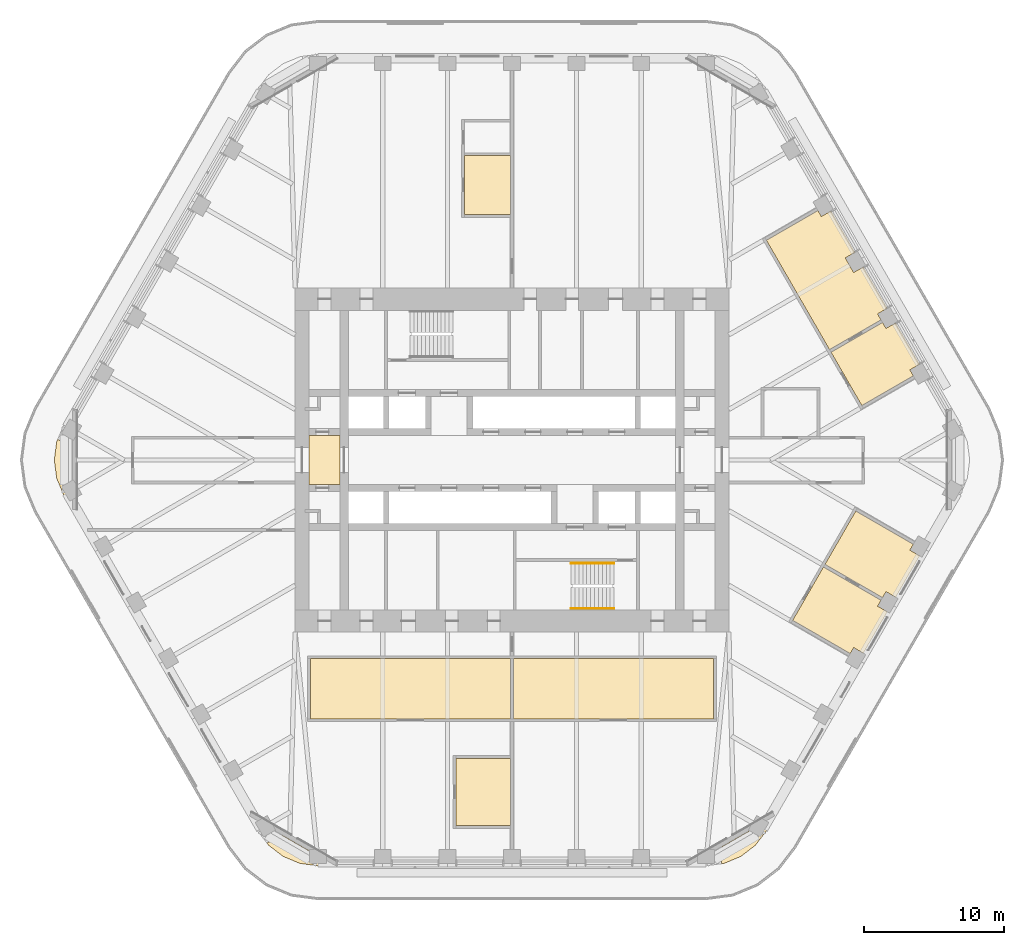
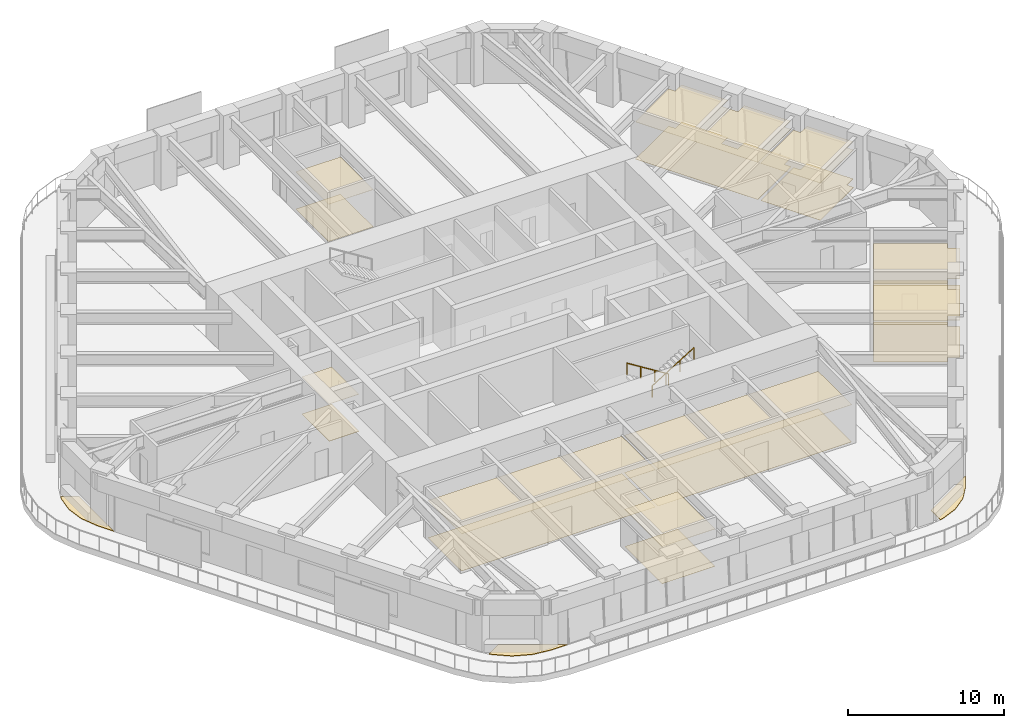
# One storey, part 18 of 20: 7 coverings, 2 railings.
"""IFC4 building model written with IfcOpenShell, lengths in metres."""

from ifc_helpers import new_model, si_unit, direction, frame, origin, origin_2d, place, context, subcontext, project, spatial, polyline, circle, outline, extrude, material, layer, layer_set, type_object, element, save


model = new_model("IFC4")

# Units and contexts
model_context = context("Model", 3, precision=1e-05, world=origin(), true_north=direction((0.0, 1.0)))
body_context = subcontext(model_context, "Body", "Model", "MODEL_VIEW")
ifc_project = project(units=[si_unit("LENGTHUNIT", "METRE"), si_unit("AREAUNIT", "SQUARE_METRE"), si_unit("VOLUMEUNIT", "CUBIC_METRE"), si_unit("PLANEANGLEUNIT", "RADIAN"), si_unit("MASSUNIT", "GRAM", prefix="KILO")], contexts=[model_context])

# Site, building, storey
site_placement = place(None, origin())
site = spatial("IfcSite", under=ifc_project, at=site_placement, CompositionType="ELEMENT")
building_placement = place(site_placement, origin())
building = spatial("IfcBuilding", under=site, at=building_placement, Name="Tarfa Lantern Tower", CompositionType="ELEMENT")
storey_placement = place(building_placement, frame((0.0, 0.0, 261.699951171875)))
storey = spatial("IfcBuildingStorey", under=building, at=storey_placement, Name="L59", CompositionType="ELEMENT", Elevation=261.699951171875)

# Coverings
ifc_material_1 = material(Name="Mineral fibre acoustic tile on suspension grid", Category="finish")
ifc_layer_1 = layer(ifc_material_1, 0.02001953125)
ifc_layer_set_1 = layer_set([ifc_layer_1], Name="CL1 ACOUSTIC TILE CEILING 20")
covering_type_1 = type_object("IfcCoveringType", Name="CL1 ACOUSTIC TILE CEILING 20", PredefinedType="CEILING", material=ifc_layer_set_1)
covering_1_placement = place(storey_placement, frame((0.0, 0.0, 2.900146484375)))
element("IfcCovering", 1, at=covering_1_placement, inside=storey, type_object=covering_type_1, Name="Ceiling L59 CL1", PredefinedType="CEILING", context=body_context, shape_type="SweptSolid", body=[
    extrude(outline(polyline([(0.10009765625, -14.199951171875), (14.39990234375, -14.199951171875), (14.39990234375, -18.5), (0.10009765625, -18.5), (0.10009765625, -14.199951171875)])), origin(), (0.0, 0.0, 1.0), 0.02001953125),
    extrude(outline(polyline([(-14.39990234375, -14.199951171875), (-0.10009765625, -14.199951171875), (-0.10009765625, -18.5), (-14.39990234375, -18.5), (-14.39990234375, -14.199951171875)])), origin(), (0.0, 0.0, 1.0), 0.02001953125),
    extrude(outline(polyline([(22.797607421875, 7.71337890625), (26.478271484375, 9.83837890625), (26.728271484375, 9.4052734375), (27.421142578125, 9.805419921875), (29.13037109375, 6.8447265625), (28.4375, 6.444580078125), (28.6875, 6.01171875), (25.007080078125, 3.88671875), (22.797607421875, 7.71337890625)])), origin(), (0.0, 0.0, 1.0), 0.02001953125),
    extrude(outline(polyline([(18.1787109375, 15.71337890625), (21.859375, 17.83837890625), (22.109375, 17.4052734375), (22.80224609375, 17.805419921875), (24.51171875, 14.8447265625), (23.81884765625, 14.444580078125), (24.418701171875, 13.4052734375), (25.111572265625, 13.805419921875), (26.821044921875, 10.8447265625), (26.128173828125, 10.444580078125), (26.378173828125, 10.01171875), (22.697509765625, 7.88671875), (18.1787109375, 15.71337890625)])), origin(), (0.0, 0.0, 1.0), 0.02001953125),
    extrude(outline(polyline([(22.2646484375, -7.63671875), (26.378173828125, -10.01171875), (26.128173828125, -10.444580078125), (26.821044921875, -10.8447265625), (25.111572265625, -13.805419921875), (24.418701171875, -13.4052734375), (24.168701171875, -13.83837890625), (20.05517578125, -11.46337890625), (22.2646484375, -7.63671875)])), origin(), (0.0, 0.0, 1.0), 0.02001953125),
    extrude(outline(polyline([(24.573974609375, -3.63671875), (28.6875, -6.01171875), (28.4375, -6.444580078125), (29.13037109375, -6.8447265625), (27.421142578125, -9.805419921875), (26.728271484375, -9.4052734375), (26.478271484375, -9.83837890625), (22.364501953125, -7.46337890625), (24.573974609375, -3.63671875)])), origin(), (0.0, 0.0, 1.0), 0.02001953125),
    extrude(outline(polyline([(-3.39990234375, 21.75244140625), (-0.10009765625, 21.75244140625), (-0.10009765625, 17.552490234375), (-3.39990234375, 17.552490234375), (-3.39990234375, 21.75244140625)])), origin(), (0.0, 0.0, 1.0), 0.02001953125),
    extrude(outline(polyline([(-4.0, -26.132568359375), (-4.0, -21.33251953125), (-0.10009765625, -21.33251953125), (-0.10009765625, -26.132568359375), (-4.0, -26.132568359375)])), origin(), (0.0, 0.0, 1.0), 0.02001953125),
])
ifc_material_2 = material(Name="Powder-coated aluminium panel", Category="aluminium")
ifc_layer_2 = layer(ifc_material_2, 0.030029296875)
ifc_layer_set_2 = layer_set([ifc_layer_2], Name="CL3 METAL PANEL CEILING 30")
covering_type_2 = type_object("IfcCoveringType", Name="CL3 METAL PANEL CEILING 30", PredefinedType="CEILING", material=ifc_layer_set_2)
covering_2_placement = place(storey_placement, frame((0.0, 0.0, 2.900146484375)))
element("IfcCovering", 2, at=covering_2_placement, inside=storey, type_object=covering_type_2, Name="Ceiling L59-01", PredefinedType="CEILING", context=body_context, shape_type="SweptSolid", body=[
    extrude(outline(polyline([(-14.5, -1.75), (-12.300048828125, -1.75), (-12.300048828125, 1.75), (-14.5, 1.75), (-14.5, -1.75)])), origin(), (0.0, 0.0, 1.0), 0.02978515625),
])
ifc_material_3 = material(Name="Nylon carpet tile", Category="finish")
ifc_layer_3 = layer(ifc_material_3, 0.010009765625)
ifc_layer_set_3 = layer_set([ifc_layer_3], Name="FL1 CARPET TILE 10")
covering_type_3 = type_object("IfcCoveringType", Name="FL1 CARPET TILE 10", PredefinedType="FLOORING", material=ifc_layer_set_3)
covering_3_placement = place(storey_placement, origin())
element("IfcCovering", 3, at=covering_3_placement, inside=storey, type_object=covering_type_3, Name="Floor finish L59 FL1", PredefinedType="FLOORING", context=body_context, shape_type="SweptSolid", body=[
    extrude(outline(polyline([(0.10009765625, -14.199951171875), (14.39990234375, -14.199951171875), (14.39990234375, -18.5), (0.10009765625, -18.5), (0.10009765625, -14.199951171875)])), origin(), (0.0, 0.0, 1.0), 0.010009765625),
    extrude(outline(polyline([(-14.39990234375, -14.199951171875), (-0.10009765625, -14.199951171875), (-0.10009765625, -18.5), (-14.39990234375, -18.5), (-14.39990234375, -14.199951171875)])), origin(), (0.0, 0.0, 1.0), 0.010009765625),
    extrude(outline(polyline([(22.797607421875, 7.71337890625), (26.478271484375, 9.83837890625), (26.728271484375, 9.4052734375), (27.421142578125, 9.805419921875), (29.13037109375, 6.8447265625), (28.4375, 6.444580078125), (28.6875, 6.01171875), (25.007080078125, 3.88671875), (22.797607421875, 7.71337890625)])), origin(), (0.0, 0.0, 1.0), 0.010009765625),
    extrude(outline(polyline([(18.1787109375, 15.71337890625), (21.859375, 17.83837890625), (22.109375, 17.4052734375), (22.80224609375, 17.805419921875), (24.51171875, 14.8447265625), (23.81884765625, 14.444580078125), (24.418701171875, 13.4052734375), (25.111572265625, 13.805419921875), (26.821044921875, 10.8447265625), (26.128173828125, 10.444580078125), (26.378173828125, 10.01171875), (22.697509765625, 7.88671875), (18.1787109375, 15.71337890625)])), origin(), (0.0, 0.0, 1.0), 0.010009765625),
    extrude(outline(polyline([(22.2646484375, -7.63671875), (26.378173828125, -10.01171875), (26.128173828125, -10.444580078125), (26.821044921875, -10.8447265625), (25.111572265625, -13.805419921875), (24.418701171875, -13.4052734375), (24.168701171875, -13.83837890625), (20.05517578125, -11.46337890625), (22.2646484375, -7.63671875)])), origin(), (0.0, 0.0, 1.0), 0.010009765625),
    extrude(outline(polyline([(24.573974609375, -3.63671875), (28.6875, -6.01171875), (28.4375, -6.444580078125), (29.13037109375, -6.8447265625), (27.421142578125, -9.805419921875), (26.728271484375, -9.4052734375), (26.478271484375, -9.83837890625), (22.364501953125, -7.46337890625), (24.573974609375, -3.63671875)])), origin(), (0.0, 0.0, 1.0), 0.010009765625),
    extrude(outline(polyline([(-3.39990234375, 21.75244140625), (-0.10009765625, 21.75244140625), (-0.10009765625, 17.552490234375), (-3.39990234375, 17.552490234375), (-3.39990234375, 21.75244140625)])), origin(), (0.0, 0.0, 1.0), 0.010009765625),
    extrude(outline(polyline([(-4.0, -26.132568359375), (-4.0, -21.33251953125), (-0.10009765625, -21.33251953125), (-0.10009765625, -26.132568359375), (-4.0, -26.132568359375)])), origin(), (0.0, 0.0, 1.0), 0.010009765625),
])
ifc_material_4 = material(Name="Honed limestone flooring", Category="masonry")
ifc_layer_4 = layer(ifc_material_4, 0.030029296875)
ifc_layer_set_4 = layer_set([ifc_layer_4], Name="FL2 STONE FLOORING 30")
covering_type_4 = type_object("IfcCoveringType", Name="FL2 STONE FLOORING 30", PredefinedType="FLOORING", material=ifc_layer_set_4)
covering_4_placement = place(storey_placement, origin())
element("IfcCovering", 4, at=covering_4_placement, inside=storey, type_object=covering_type_4, Name="Floor finish L59-01", PredefinedType="FLOORING", context=body_context, shape_type="SweptSolid", body=[
    extrude(outline(polyline([(-14.5, -1.75), (-12.300048828125, -1.75), (-12.300048828125, 1.75), (-14.5, 1.75), (-14.5, -1.75)])), origin(), (0.0, 0.0, 1.0), 0.030029296875),
])

# Railings
ifc_material_5 = material(Name="Stainless steel", Category="steel")
railing_type = type_object("IfcRailingType", Name="HR1 HANDRAIL 900", PredefinedType="HANDRAIL", material=ifc_material_5)
railing_1_placement = place(storey_placement, frame((7.300048828125, -7.3798828125, 0.175048828125)))
element("IfcRailing", 5, at=railing_1_placement, inside=storey, type_object=railing_type, Name="Handrail 1", PredefinedType="HANDRAIL", context=body_context, shape_type="SweptSolid", body=[
    extrude(circle(Radius=0.02392578125, at=origin_2d()), frame((0.0, 0.0, 0.8759765625), z_axis=(-0.847998304005, 0.0, 0.529998940003), x_axis=(0.0, -1.0, 0.0)), (0.0, 0.0, 1.0), 3.632080078125),
    extrude(circle(Radius=0.02099609375, at=origin_2d()), frame((0.0, 0.0, 0.0), z_axis=(0.0, 0.0, 1.0), x_axis=(0.0, -1.0, 0.0)), (0.0, 0.0, 1.0), 0.851806640625),
    extrude(circle(Radius=0.02099609375, at=origin_2d()), frame((-1.026611328125, 0.0, 0.6416015625), z_axis=(0.0, 0.0, 1.0), x_axis=(0.0, -1.0, 0.0)), (0.0, 0.0, 1.0), 0.851806640625),
    extrude(circle(Radius=0.02099609375, at=origin_2d()), frame((-2.053466796875, 0.0, 1.283447265625), z_axis=(0.0, 0.0, 1.0), x_axis=(0.0, -1.0, 0.0)), (0.0, 0.0, 1.0), 0.851806640625),
    extrude(circle(Radius=0.02099609375, at=origin_2d()), frame((-3.080078125, 0.0, 1.925048828125), z_axis=(0.0, 0.0, 1.0), x_axis=(0.0, -1.0, 0.0)), (0.0, 0.0, 1.0), 0.851806640625),
])
railing_2_placement = place(storey_placement, frame((4.219970703125, -10.6201171875, 2.275146484375)))
element("IfcRailing", 6, at=railing_2_placement, inside=storey, type_object=railing_type, Name="Handrail 2", PredefinedType="HANDRAIL", context=body_context, shape_type="SweptSolid", body=[
    extrude(circle(Radius=0.02392578125, at=origin_2d()), frame((0.0, 0.0, 0.8759765625), z_axis=(0.848028513186, 0.0, 0.529950602248), x_axis=(0.0, 1.0, 0.0)), (0.0, 0.0, 1.0), 3.632080078125),
    extrude(circle(Radius=0.02099609375, at=origin_2d()), frame((0.0, 0.0, 0.0), z_axis=(0.0, 0.0, 1.0), x_axis=(0.0, 1.0, 0.0)), (0.0, 0.0, 1.0), 0.851806640625),
    extrude(circle(Radius=0.02099609375, at=origin_2d()), frame((1.026611328125, 0.0, 0.6416015625), z_axis=(0.0, 0.0, 1.0), x_axis=(0.0, 1.0, 0.0)), (0.0, 0.0, 1.0), 0.851806640625),
    extrude(circle(Radius=0.02099609375, at=origin_2d()), frame((2.053466796875, 0.0, 1.283203125), z_axis=(0.0, 0.0, 1.0), x_axis=(0.0, 1.0, 0.0)), (0.0, 0.0, 1.0), 0.851806640625),
    extrude(circle(Radius=0.02099609375, at=origin_2d()), frame((3.080078125, 0.0, 1.9248046875), z_axis=(0.0, 0.0, 1.0), x_axis=(0.0, 1.0, 0.0)), (0.0, 0.0, 1.0), 0.851806640625),
])

# Coverings
ifc_material_6 = material(Name="Porcelain pavers on pedestals", Category="ceramic")
ifc_layer_5 = layer(ifc_material_6, 0.0400390625)
ifc_layer_set_5 = layer_set([ifc_layer_5], Name="LP1 LOGGIA PAVING 40")
covering_type_5 = type_object("IfcCoveringType", Name="LP1 LOGGIA PAVING 40", PredefinedType="FLOORING", material=ifc_layer_set_5)
covering_5_placement = place(storey_placement, origin())
element("IfcCovering", 7, at=covering_5_placement, inside=storey, type_object=covering_type_5, Name="Sky garden paving NW-SW", PredefinedType="FLOORING", context=body_context, shape_type="SweptSolid", body=[
    extrude(outline(polyline([(-32.54248046875, -1.294189453125), (-32.712890625, 0.0), (-32.54248046875, 1.294189453125), (-32.467529296875, 1.474853515625), (-31.43310546875, 0.877685546875), (-31.43310546875, -3.55078125), (-31.436279296875, -3.55078125), (-32.04296875, -2.5), (-32.54248046875, -1.294189453125)])), origin(), (0.0, 0.0, 1.0), 0.0400390625),
])
covering_6_placement = place(storey_placement, origin())
element("IfcCovering", 8, at=covering_6_placement, inside=storey, type_object=covering_type_5, Name="Sky garden paving SW-S", PredefinedType="FLOORING", context=body_context, shape_type="SweptSolid", body=[
    extrude(outline(polyline([(-15.150390625, -28.82958984375), (-16.3564453125, -28.330078125), (-17.391845703125, -27.53564453125), (-17.51123046875, -27.380126953125), (-16.4765625, -26.782958984375), (-12.641357421875, -28.997314453125), (-12.64306640625, -29.0), (-13.8564453125, -29.0), (-15.150390625, -28.82958984375)])), origin(), (0.0, 0.0, 1.0), 0.0400390625),
])
covering_7_placement = place(storey_placement, origin())
element("IfcCovering", 9, at=covering_7_placement, inside=storey, type_object=covering_type_5, Name="Sky garden paving S-SE", PredefinedType="FLOORING", context=body_context, shape_type="SweptSolid", body=[
    extrude(outline(polyline([(17.391845703125, -27.53564453125), (16.3564453125, -28.330078125), (15.150390625, -28.82958984375), (14.956298828125, -28.855224609375), (14.956298828125, -27.66064453125), (18.791748046875, -25.4462890625), (18.793212890625, -25.44921875), (18.1865234375, -26.5), (17.391845703125, -27.53564453125)])), origin(), (0.0, 0.0, 1.0), 0.0400390625),
])

save(model, "model.ifc")
